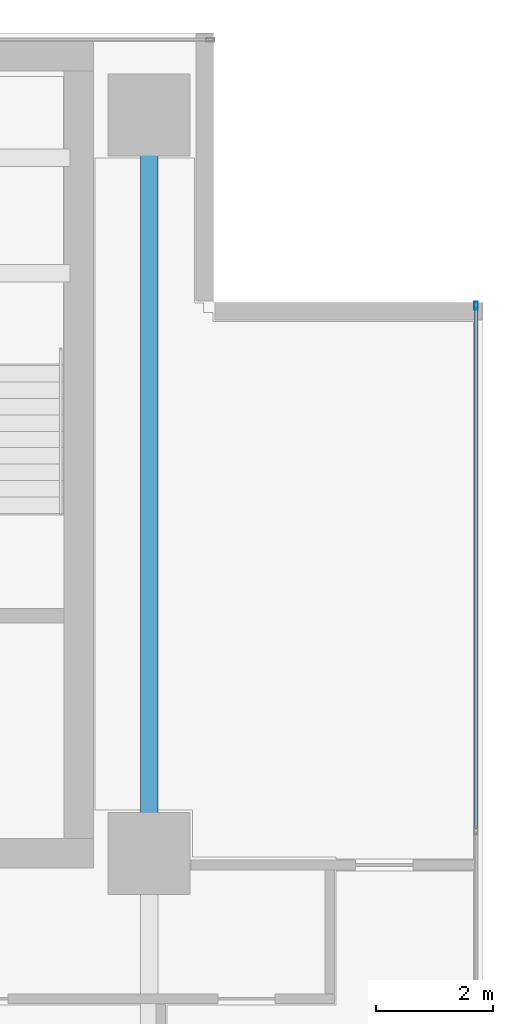
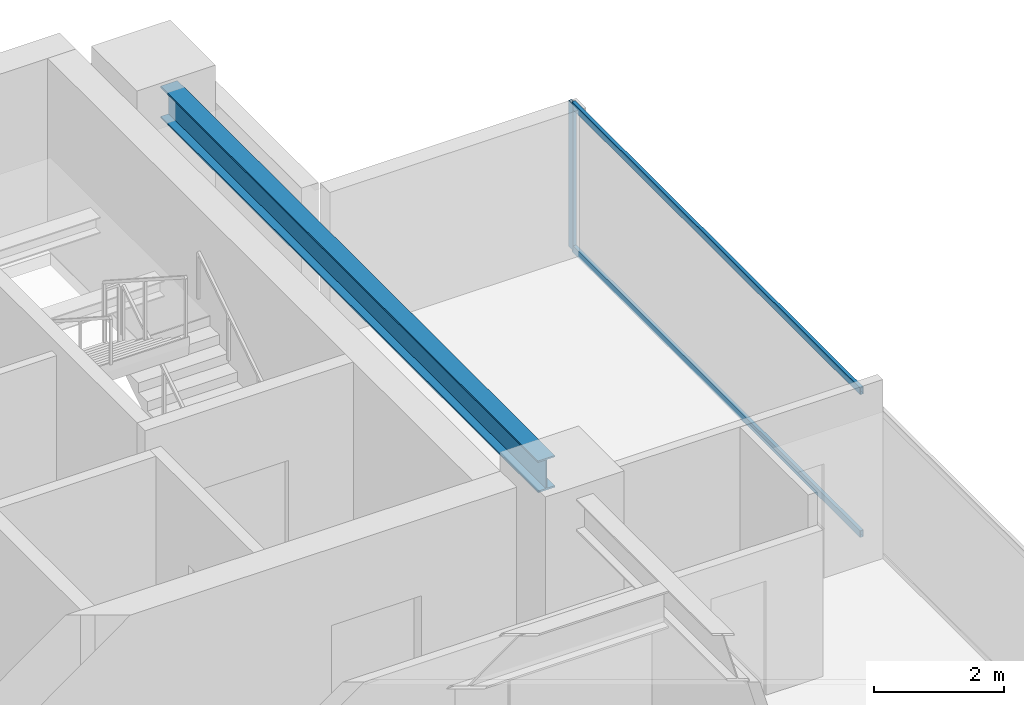
# One storey, part 14 of 27: 3 members, 1 beam, 1 element without a shape of its own.
"""IFC4 building model written with IfcOpenShell, lengths in metres."""

from ifc_helpers import new_model, si_unit, direction, frame, origin, origin_2d, place, context, subcontext, project, spatial, hollow_rectangle, i_section, extrude, source, transform, mapped, material, layer, layer_set, material_profile, profile_set, type_object, element, aggregate, save


model = new_model("IFC4")

# Units and contexts
model_context = context("Model", 3, precision=1e-05, world=origin(), true_north=direction((0.0, 1.0)))
body_context = subcontext(model_context, "Body", "Model", "MODEL_VIEW")
ifc_project = project(units=[si_unit("LENGTHUNIT", "METRE"), si_unit("AREAUNIT", "SQUARE_METRE"), si_unit("VOLUMEUNIT", "CUBIC_METRE"), si_unit("PLANEANGLEUNIT", "RADIAN"), si_unit("MASSUNIT", "GRAM", prefix="KILO")], contexts=[model_context])

# Site, building, storey
site_placement = place(None, origin())
site = spatial("IfcSite", under=ifc_project, at=site_placement, CompositionType="ELEMENT")
building_placement = place(site_placement, origin())
building = spatial("IfcBuilding", under=site, at=building_placement, Name="Sumidabori Civic Tower", CompositionType="ELEMENT")
storey_placement = place(building_placement, frame((0.0, 0.0, 257.60009765625)))
storey = spatial("IfcBuildingStorey", under=building, at=storey_placement, Name="L67", CompositionType="ELEMENT", Elevation=257.60009765625)

# Beam
ifc_material_1 = material(Name="Steel SN490", Category="steel")
ifc_material_profile_1 = material_profile(ifc_material_1, i_section(OverallWidth=0.300048828125, OverallDepth=0.60009765625, WebThickness=0.015380859375, FlangeThickness=0.030029296875, at=origin_2d()), Name="HE 600 B")
ifc_profile_set_1 = profile_set([ifc_material_profile_1], Name="Steel SN490")
beam_type = type_object("IfcBeamType", Name="BM-GIRD-600", PredefinedType="BEAM", material=ifc_profile_set_1)
shared_shape_1 = source(origin(), body_context, "Body", "SweptSolid", [
    extrude(i_section(OverallWidth=0.300048828125, OverallDepth=0.60009765625, WebThickness=0.015380859375, FlangeThickness=0.030029296875, at=origin_2d()), origin(), (0.0, 0.0, 1.0), 11.64013671875),
])
beam_placement = place(storey_placement, frame((16.800048828125, 10.679931640625, 3.06982421875), z_axis=(0.0, 1.0, 0.0), x_axis=(-1.0, 0.0, 0.0)))
element("IfcBeam", 1, at=beam_placement, inside=storey, type_object=beam_type, Name="Primary Girder L67 GY-17", PredefinedType="BEAM", context=body_context, shape_type="MappedRepresentation", body=[
    mapped(shared_shape_1, transform((0.0, 0.0, 0.0), x_axis=(1.0, 0.0, 0.0), y_axis=(0.0, 1.0, 0.0), z_axis=(0.0, 0.0, 1.0), scale=1.0)),
])

# Curtain wall, members
ifc_material_2 = material(Name="Anodised Bronze Aluminium AW-6063-T6", Category="aluminium")
ifc_layer = layer(ifc_material_2, 0.179931640625, Name="Anodised Bronze Aluminium AW-6063-T6")
ifc_layer_set = layer_set([ifc_layer], Name="Anodised Bronze Aluminium AW-6063-T6")
curtain_wall_type = type_object("IfcCurtainWallType", Name="CW-SYS-5", PredefinedType="NOTDEFINED", material=ifc_layer_set)
curtain_wall_placement = place(storey_placement, origin())
curtain_wall = element("IfcCurtainWall", 2, at=curtain_wall_placement, inside=storey, type_object=curtain_wall_type, Name="Curtain Wall CW:L67:R04", PredefinedType="NOTDEFINED")
ifc_material_profile_2 = material_profile(ifc_material_2, hollow_rectangle(XDim=0.06005859375, YDim=0.139892578125, WallThickness=0.0048828125, at=origin_2d()), Name="ALU MULLION 140x60")
ifc_profile_set_2 = profile_set([ifc_material_profile_2], Name="Anodised Bronze Aluminium AW-6063-T6")
member_type_1 = type_object("IfcMemberType", Name="CW-MUL-140", PredefinedType="MULLION", material=ifc_profile_set_2)
shared_shape_2 = source(origin(), body_context, "Body", "SweptSolid", [
    extrude(hollow_rectangle(XDim=0.06005859375, YDim=0.139892578125, WallThickness=0.0048828125, at=origin_2d()), origin(), (0.0, 0.0, 1.0), 2.75),
])
member_1_placement = place(storey_placement, frame((22.3798828125, 19.5400390625, 0.0), z_axis=(0.0, 0.0, 1.0), x_axis=(-1.0, 0.0, 0.0)))
member_1 = element("IfcMember", 3, at=member_1_placement, type_object=member_type_1, Name="CW-5 mullion 4", PredefinedType="MULLION", context=body_context, shape_type="MappedRepresentation", body=[
    mapped(shared_shape_2, transform((0.0, 0.0, 0.0), x_axis=(1.0, 0.0, 0.0), y_axis=(0.0, 1.0, 0.0), z_axis=(0.0, 0.0, 1.0), scale=1.0)),
])
ifc_material_profile_3 = material_profile(ifc_material_2, hollow_rectangle(XDim=0.06005859375, YDim=0.1298828125, WallThickness=0.0048828125, at=origin_2d()), Name="ALU TRANSOM 130x60")
ifc_profile_set_3 = profile_set([ifc_material_profile_3], Name="Anodised Bronze Aluminium AW-6063-T6")
member_type_2 = type_object("IfcMemberType", Name="CW-TRN-130", PredefinedType="USERDEFINED", material=ifc_profile_set_3)
shared_shape_3 = source(origin(), body_context, "Body", "SweptSolid", [
    extrude(hollow_rectangle(XDim=0.06005859375, YDim=0.1298828125, WallThickness=0.0048828125, at=origin_2d()), origin(), (0.0, 0.0, 1.0), 8.889892578125),
])
member_2_placement = place(storey_placement, frame((22.3798828125, 10.6201171875, 0.02978515625), z_axis=(0.0, 1.0, 0.0), x_axis=(-1.0, 0.0, 0.0)))
member_2 = element("IfcMember", 4, at=member_2_placement, type_object=member_type_2, Name="CW-5 transom 3.1", ObjectType="TRANSOM", PredefinedType="USERDEFINED", context=body_context, shape_type="MappedRepresentation", body=[
    mapped(shared_shape_3, transform((0.0, 0.0, 0.0), x_axis=(1.0, 0.0, 0.0), y_axis=(0.0, 1.0, 0.0), z_axis=(0.0, 0.0, 1.0), scale=1.0)),
])
member_3_placement = place(storey_placement, frame((22.3798828125, 10.6201171875, 2.719970703125), z_axis=(0.0, 1.0, 0.0), x_axis=(-1.0, 0.0, 0.0)))
member_3 = element("IfcMember", 5, at=member_3_placement, type_object=member_type_2, Name="CW-5 transom 3.2", ObjectType="TRANSOM", PredefinedType="USERDEFINED", context=body_context, shape_type="MappedRepresentation", body=[
    mapped(shared_shape_3, transform((0.0, 0.0, 0.0), x_axis=(1.0, 0.0, 0.0), y_axis=(0.0, 1.0, 0.0), z_axis=(0.0, 0.0, 1.0), scale=1.0)),
])
aggregate(curtain_wall, [member_1, member_2, member_3])

save(model, "model.ifc")
